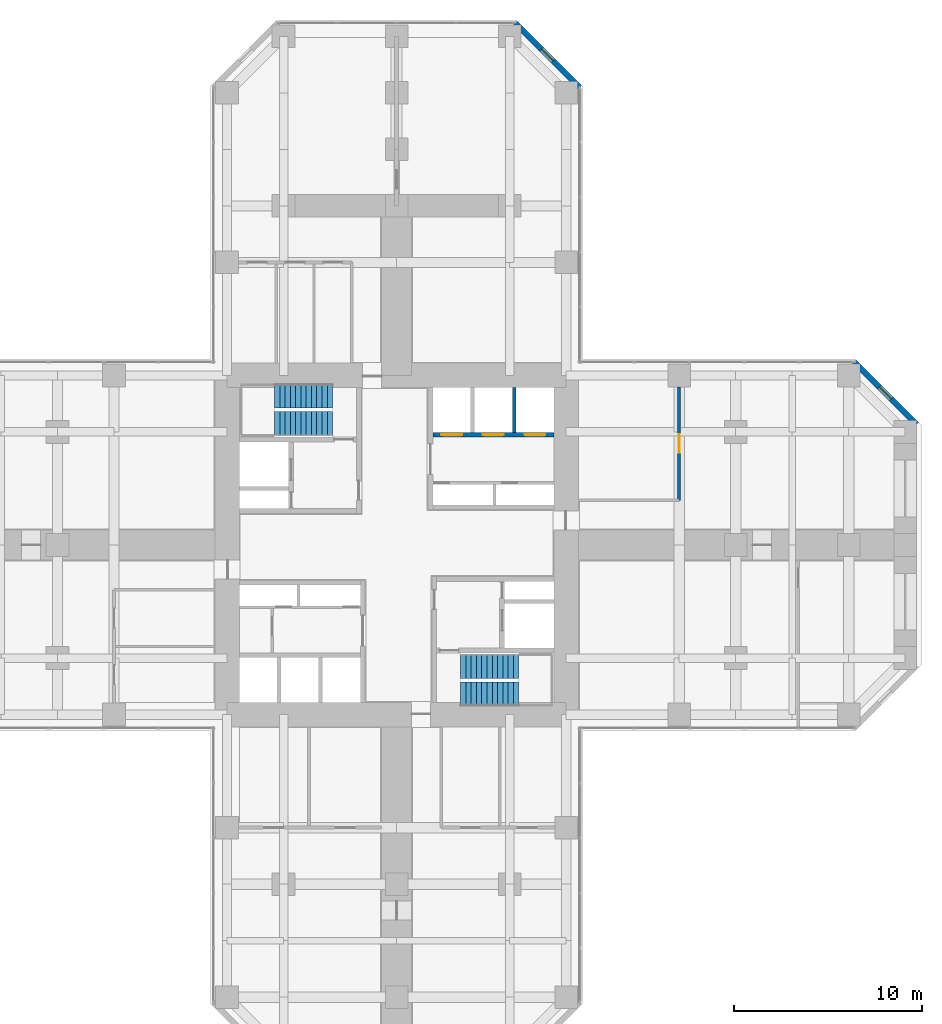
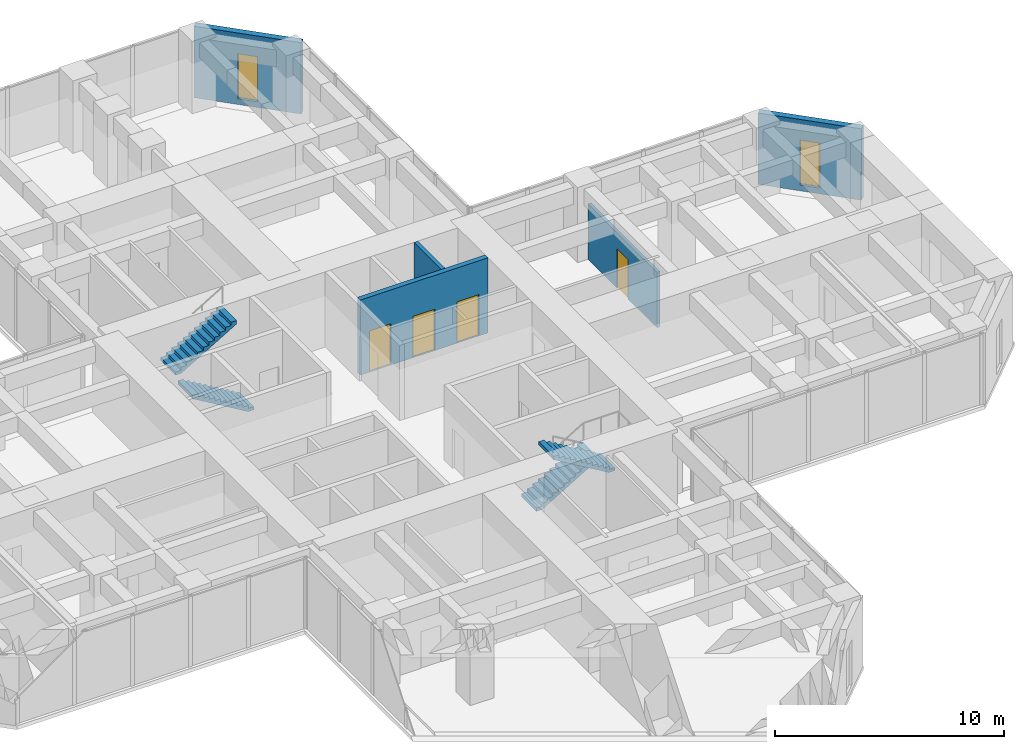
# One storey, part 11 of 12: 5 walls, 4 doors, 4 stair flights, 2 windows, 6 openings, 2 elements without a shape of their own.
"""IFC4 building model written with IfcOpenShell, lengths in metres."""

from ifc_helpers import new_model, si_unit, direction, frame, frame_2d, origin, place, context, subcontext, project, spatial, polyline, rectangle, hollow_rectangle, outline, extrude, material, layer, layer_set, constituent, constituent_set, type_object, element, fill, aggregate, save


model = new_model("IFC4")

# Units and contexts
model_context = context("Model", 3, precision=1e-05, world=origin(), true_north=direction((0.0, 1.0)))
body_context = subcontext(model_context, "Body", "Model", "MODEL_VIEW")
ifc_project = project(units=[si_unit("LENGTHUNIT", "METRE"), si_unit("AREAUNIT", "SQUARE_METRE"), si_unit("VOLUMEUNIT", "CUBIC_METRE"), si_unit("PLANEANGLEUNIT", "RADIAN"), si_unit("MASSUNIT", "GRAM", prefix="KILO")], contexts=[model_context])

# Site, building, storey
site_placement = place(None, origin())
site = spatial("IfcSite", under=ifc_project, at=site_placement, CompositionType="ELEMENT")
building_placement = place(site_placement, origin())
building = spatial("IfcBuilding", under=site, at=building_placement, Name="Torre Cruceta", CompositionType="ELEMENT")
storey_placement = place(building_placement, frame((0.0, 0.0, 35.5)))
storey = spatial("IfcBuildingStorey", under=building, at=storey_placement, Name="L08", CompositionType="ELEMENT", Elevation=35.5)

# Wall, openings, doors
ifc_material_1 = material(Name="Concrete G60 (fck 60 MPa)", Category="concrete")
ifc_layer_1 = layer(ifc_material_1, 0.25)
ifc_layer_set_1 = layer_set([ifc_layer_1], Name="Concrete G60 (fck 60 MPa)")
wall_type_1 = type_object("IfcWallType", Name="CORE INNER WALL 250 G60", PredefinedType="SHEAR", material=ifc_layer_set_1)
wall_1_placement = place(storey_placement, frame((1.925048828125, 5.85009765625, 0.0), z_axis=(0.0, 0.0, 1.0), x_axis=(1.0, 0.0, 0.0)))
wall_1 = element("IfcWall", 1, at=wall_1_placement, inside=storey, type_object=wall_type_1, Name="CW4 L08 NE-LV", PredefinedType="SHEAR", context=body_context, shape_type="SweptSolid", body=[
    extrude(rectangle(XDim=6.425048828125, YDim=0.25, at=frame_2d((3.21240234375, 0.0))), origin(), (0.0, 0.0, 1.0), 4.0),
])
opening_1_placement = place(wall_1_placement, frame((0.4541015625, 0.0, 0.0)))
opening_1 = element("IfcOpeningElement", 2, at=opening_1_placement, cuts=wall_1, Name="Opening LD1", PredefinedType="OPENING", context=body_context, shape_type="SweptSolid", body=[
    extrude(rectangle(XDim=1.10009765625, YDim=2.199951171875, at=frame_2d((0.550048828125, 1.10009765625))), frame((0.0, 0.135009765625, 0.0), z_axis=(0.0, -1.0, 0.0), x_axis=(1.0, 0.0, 0.0)), (0.0, 0.0, 1.0), 0.27001953125),
])
opening_2_placement = place(wall_1_placement, frame((2.66259765625, 0.0, 0.0)))
opening_2 = element("IfcOpeningElement", 3, at=opening_2_placement, cuts=wall_1, Name="Opening LD1", PredefinedType="OPENING", context=body_context, shape_type="SweptSolid", body=[
    extrude(rectangle(XDim=1.10009765625, YDim=2.199951171875, at=frame_2d((0.550048828125, 1.10009765625))), frame((0.0, 0.135009765625, 0.0), z_axis=(0.0, -1.0, 0.0), x_axis=(1.0, 0.0, 0.0)), (0.0, 0.0, 1.0), 0.27001953125),
])
opening_3_placement = place(wall_1_placement, frame((4.870849609375, 0.0, 0.0)))
opening_3 = element("IfcOpeningElement", 4, at=opening_3_placement, cuts=wall_1, Name="Opening LD1", PredefinedType="OPENING", context=body_context, shape_type="SweptSolid", body=[
    extrude(rectangle(XDim=1.10009765625, YDim=2.199951171875, at=frame_2d((0.550048828125, 1.10009765625))), frame((0.0, 0.135009765625, 0.0), z_axis=(0.0, -1.0, 0.0), x_axis=(1.0, 0.0, 0.0)), (0.0, 0.0, 1.0), 0.27001953125),
])
ifc_material_2 = material(Name="Stainless steel 1.4401", Category="steel")
door_type_1 = type_object("IfcDoorType", Name="LIFT LANDING DOOR 1100X2200", OperationType="DOUBLE_DOOR_SLIDING", PredefinedType="DOOR", material=ifc_material_2)
door_1_placement = place(opening_1_placement, origin())
door_1 = element("IfcDoor", 5, at=door_1_placement, inside=storey, type_object=door_type_1, Name="Lift landing door P1", OperationType="DOUBLE_DOOR_SLIDING", OverallHeight=2.199951171875, OverallWidth=1.10009765625, PredefinedType="DOOR", context=body_context, shape_type="SweptSolid", body=[
    extrude(rectangle(XDim=1.10009765625, YDim=2.199951171875, at=frame_2d((0.550048828125, 1.10009765625))), frame((0.0, 0.02490234375, 0.0), z_axis=(0.0, -1.0, 0.0), x_axis=(1.0, 0.0, 0.0)), (0.0, 0.0, 1.0), 0.050048828125),
])
fill(opening_1, door_1)
door_2_placement = place(opening_2_placement, origin())
door_2 = element("IfcDoor", 6, at=door_2_placement, inside=storey, type_object=door_type_1, Name="Lift landing door P2", OperationType="DOUBLE_DOOR_SLIDING", OverallHeight=2.199951171875, OverallWidth=1.10009765625, PredefinedType="DOOR", context=body_context, shape_type="SweptSolid", body=[
    extrude(rectangle(XDim=1.10009765625, YDim=2.199951171875, at=frame_2d((0.550048828125, 1.10009765625))), frame((0.0, 0.02490234375, 0.0), z_axis=(0.0, -1.0, 0.0), x_axis=(1.0, 0.0, 0.0)), (0.0, 0.0, 1.0), 0.050048828125),
])
fill(opening_2, door_2)
door_3_placement = place(opening_3_placement, origin())
door_3 = element("IfcDoor", 7, at=door_3_placement, inside=storey, type_object=door_type_1, Name="Lift landing door P3", OperationType="DOUBLE_DOOR_SLIDING", OverallHeight=2.199951171875, OverallWidth=1.10009765625, PredefinedType="DOOR", context=body_context, shape_type="SweptSolid", body=[
    extrude(rectangle(XDim=1.10009765625, YDim=2.199951171875, at=frame_2d((0.550048828125, 1.10009765625))), frame((0.0, 0.02490234375, 0.0), z_axis=(0.0, -1.0, 0.0), x_axis=(1.0, 0.0, 0.0)), (0.0, 0.0, 1.0), 0.050048828125),
])
fill(opening_3, door_3)

# Wall, opening, window
ifc_material_3 = material(Name="Concrete G30 (fck 30 MPa)", Category="concrete")
ifc_layer_2 = layer(ifc_material_3, 0.300048828125)
ifc_layer_set_2 = layer_set([ifc_layer_2], Name="Concrete G30 (fck 30 MPa)")
wall_type_2 = type_object("IfcWallType", Name="EXPOSED CONCRETE FACADE WALL 300", PredefinedType="SOLIDWALL", material=ifc_layer_set_2)
wall_2_placement = place(storey_placement, frame((27.60009765625, 6.418212890625, 0.0), z_axis=(0.0, 0.0, 1.0), x_axis=(-0.707106781187, 0.707106781187, 0.0)))
wall_2 = element("IfcWall", 8, at=wall_2_placement, inside=storey, type_object=wall_type_2, Name="EW1 facade wall L08 E chamfer 03", PredefinedType="SOLIDWALL", context=body_context, shape_type="SweptSolid", body=[
    extrude(rectangle(XDim=4.66943359375, YDim=0.300048828125, at=frame_2d((2.334716796875, 0.0))), origin(), (0.0, 0.0, 1.0), 3.800048828125),
])
opening_4_placement = place(wall_2_placement, frame((1.884765625, 0.0, 0.300048828125)))
opening_4 = element("IfcOpeningElement", 9, at=opening_4_placement, cuts=wall_2, Name="Opening WN5", PredefinedType="OPENING", context=body_context, shape_type="SweptSolid", body=[
    extrude(rectangle(XDim=0.89990234375, YDim=2.39990234375, at=frame_2d((0.449951171875, 1.199951171875))), frame((0.0, 0.159912109375, 0.0), z_axis=(0.0, -1.0, 0.0), x_axis=(1.0, 0.0, 0.0)), (0.0, 0.0, 1.0), 0.320068359375),
])
ifc_material_4 = material(Name="Aluminium window frame", Category="aluminium")
ifc_constituent_1 = constituent(ifc_material_4, Name="Frame")
ifc_material_5 = material(Name="Laminated insulating glass unit, low-iron clear", Category="glass")
ifc_constituent_2 = constituent(ifc_material_5, Name="Glazing")
ifc_constituent_set_1 = constituent_set(constituents=[ifc_constituent_1, ifc_constituent_2], Name="Aluminium window")
window_type = type_object("IfcWindowType", Name="CHAMFER SLOT WINDOW 900X2400", PartitioningType="SINGLE_PANEL", PredefinedType="WINDOW", material=ifc_constituent_set_1)
window_1_placement = place(opening_4_placement, origin())
window_1 = element("IfcWindow", 10, at=window_1_placement, inside=storey, type_object=window_type, Name="WN5 L08 E 1", OverallHeight=2.39990234375, OverallWidth=0.89990234375, PartitioningType="SINGLE_PANEL", PredefinedType="WINDOW", context=body_context, shape_type="SweptSolid", body=[
    extrude(hollow_rectangle(XDim=0.89990234375, YDim=2.39990234375, WallThickness=0.06005859375, at=frame_2d((0.449951171875, 1.199951171875))), frame((0.0, 0.030029296875, 0.0), z_axis=(0.0, -1.0, 0.0), x_axis=(1.0, 0.0, 0.0)), (0.0, 0.0, 1.0), 0.06005859375),
    extrude(rectangle(XDim=0.77880859375, YDim=2.27880859375, at=frame_2d((0.449951171875, 1.199951171875))), frame((0.0, 0.030029296875, 0.0), z_axis=(0.0, -1.0, 0.0), x_axis=(1.0, 0.0, 0.0)), (0.0, 0.0, 1.0), 0.06005859375),
])
fill(opening_4, window_1)

wall_3_placement = place(storey_placement, frame((9.719970703125, 24.29833984375, 0.0), z_axis=(0.0, 0.0, 1.0), x_axis=(-0.707106781187, 0.707106781187, 0.0)))
wall_3 = element("IfcWall", 11, at=wall_3_placement, inside=storey, type_object=wall_type_2, Name="EW1 facade wall L08 N chamfer 06", PredefinedType="SOLIDWALL", context=body_context, shape_type="SweptSolid", body=[
    extrude(rectangle(XDim=4.8388671875, YDim=0.300048828125, at=frame_2d((2.41943359375, 0.0))), origin(), (0.0, 0.0, 1.0), 3.800048828125),
])
opening_5_placement = place(wall_3_placement, frame((1.969482421875, 0.0, 0.300048828125)))
opening_5 = element("IfcOpeningElement", 12, at=opening_5_placement, cuts=wall_3, Name="Opening WN5", PredefinedType="OPENING", context=body_context, shape_type="SweptSolid", body=[
    extrude(rectangle(XDim=0.89990234375, YDim=2.39990234375, at=frame_2d((0.449951171875, 1.199951171875))), frame((0.0, 0.159912109375, 0.0), z_axis=(0.0, -1.0, 0.0), x_axis=(1.0, 0.0, 0.0)), (0.0, 0.0, 1.0), 0.320068359375),
])
window_2_placement = place(opening_5_placement, origin())
window_2 = element("IfcWindow", 13, at=window_2_placement, inside=storey, type_object=window_type, Name="WN5 L08 N 1", OverallHeight=2.39990234375, OverallWidth=0.89990234375, PartitioningType="SINGLE_PANEL", PredefinedType="WINDOW", context=body_context, shape_type="SweptSolid", body=[
    extrude(hollow_rectangle(XDim=0.89990234375, YDim=2.39990234375, WallThickness=0.06005859375, at=frame_2d((0.449951171875, 1.199951171875))), frame((0.0, 0.030029296875, 0.0), z_axis=(0.0, -1.0, 0.0), x_axis=(1.0, 0.0, 0.0)), (0.0, 0.0, 1.0), 0.06005859375),
    extrude(rectangle(XDim=0.77880859375, YDim=2.27880859375, at=frame_2d((0.449951171875, 1.199951171875))), frame((0.0, 0.030029296875, 0.0), z_axis=(0.0, -1.0, 0.0), x_axis=(1.0, 0.0, 0.0)), (0.0, 0.0, 1.0), 0.06005859375),
])
fill(opening_5, window_2)

# Wall
ifc_material_6 = material(Name="Concrete G35 (fck 35 MPa)", Category="concrete")
ifc_layer_3 = layer(ifc_material_6, 0.199951171875)
ifc_layer_set_3 = layer_set([ifc_layer_3], Name="Concrete G35 (fck 35 MPa)")
wall_type_3 = type_object("IfcWallType", Name="LIFT SHAFT WALL 200", PredefinedType="PARTITIONING", material=ifc_layer_set_3)
wall_4_placement = place(storey_placement, frame((6.24169921875, 5.97509765625, 0.0), z_axis=(0.0, 0.0, 1.0), x_axis=(0.0, 1.0, 0.0)))
element("IfcWall", 14, at=wall_4_placement, inside=storey, type_object=wall_type_3, Name="SW1 L08 NE-LS2", PredefinedType="PARTITIONING", context=body_context, shape_type="SweptSolid", body=[
    extrude(rectangle(XDim=2.375, YDim=0.199951171875, at=frame_2d((1.1875, 0.0))), origin(), (0.0, 0.0, 1.0), 4.0),
])

# Wall, opening, door
ifc_material_7 = material(Name="Plasterboard on steel studs", Category="steel")
ifc_layer_4 = layer(ifc_material_7, 0.14990234375)
ifc_layer_set_4 = layer_set([ifc_layer_4], Name="Plasterboard on steel studs")
wall_type_4 = type_object("IfcWallType", Name="PARTITION 150", PredefinedType="PARTITIONING", material=ifc_layer_set_4)
wall_5_placement = place(storey_placement, frame((15.0, 2.375, 0.0), z_axis=(0.0, 0.0, 1.0), x_axis=(0.0, 1.0, 0.0)))
wall_5 = element("IfcWall", 15, at=wall_5_placement, inside=storey, type_object=wall_type_4, Name="PT1 L08-E-BFL", PredefinedType="PARTITIONING", context=body_context, shape_type="SweptSolid", body=[
    extrude(rectangle(XDim=6.02490234375, YDim=0.14990234375, at=frame_2d((3.012451171875, 0.0))), origin(), (0.0, 0.0, 1.0), 2.949951171875),
])
opening_6_placement = place(wall_5_placement, frame((2.512451171875, 0.0, 0.0)))
opening_6 = element("IfcOpeningElement", 16, at=opening_6_placement, cuts=wall_5, Name="Opening D3", PredefinedType="OPENING", context=body_context, shape_type="SweptSolid", body=[
    extrude(rectangle(XDim=1.0, YDim=2.10009765625, at=frame_2d((0.5, 1.050048828125))), frame((0.0, 0.0849609375, 0.0), z_axis=(0.0, -1.0, 0.0), x_axis=(1.0, 0.0, 0.0)), (0.0, 0.0, 1.0), 0.169921875),
])
ifc_material_8 = material(Name="Steel DX51D", Category="steel")
ifc_constituent_3 = constituent(ifc_material_8, Name="Leaf and frame")
ifc_material_9 = material(Name="Polyester powder coating", Category="paint")
ifc_constituent_4 = constituent(ifc_material_9, Name="Finish")
ifc_constituent_set_2 = constituent_set(constituents=[ifc_constituent_3, ifc_constituent_4], Name="Steel fire door")
door_type_2 = type_object("IfcDoorType", Name="FIRE DOOR 1000X2100", OperationType="SINGLE_SWING_LEFT", PredefinedType="DOOR", material=ifc_constituent_set_2)
door_4_placement = place(opening_6_placement, origin())
door_4 = element("IfcDoor", 17, at=door_4_placement, inside=storey, type_object=door_type_2, Name="D3 L08-E-BFL-D1", OperationType="SINGLE_SWING_LEFT", OverallHeight=2.10009765625, OverallWidth=1.0, PredefinedType="DOOR", context=body_context, shape_type="SweptSolid", body=[
    extrude(rectangle(XDim=1.0, YDim=2.10009765625, at=frame_2d((0.5, 1.050048828125))), frame((0.0, 0.02490234375, 0.0), z_axis=(0.0, -1.0, 0.0), x_axis=(1.0, 0.0, 0.0)), (0.0, 0.0, 1.0), 0.050048828125),
])
fill(opening_6, door_4)

# Stair, stair flights
ifc_material_10 = material(Name="Concrete G30 (fck 30 MPa)", Category="concrete")
stair_type = type_object("IfcStairType", Name="STAIR HALF-TURN 1300", PredefinedType="HALF_TURN_STAIR", material=ifc_material_10)
stair_1_placement = place(storey_placement, origin())
stair_1 = element("IfcStair", 18, at=stair_1_placement, inside=storey, type_object=stair_type, Name="Stair ST1 L08", PredefinedType="HALF_TURN_STAIR")
ifc_material_11 = material(Name="Concrete G30 (fck 30 MPa)", Category="concrete")
stair_flight_type = type_object("IfcStairFlightType", Name="STAIR FLIGHT 1300", PredefinedType="STRAIGHT", material=ifc_material_11)
stair_flight_1_placement = place(storey_placement, frame((-3.39990234375, 6.425048828125, 0.0), z_axis=(0.0, 0.0, 1.0), x_axis=(-1.0, 0.0, 0.0)))
stair_flight_1 = element("IfcStairFlight", 19, at=stair_flight_1_placement, type_object=stair_flight_type, Name="ST1 flight 1", NumberOfRisers=12, NumberOfTreads=11, PredefinedType="STRAIGHT", RiserHeight=0.166666667, TreadLength=0.28, context=body_context, shape_type="SweptSolid", body=[
    extrude(outline(polyline([(0.0, 0.0), (0.0, 0.166748046875), (0.280029296875, 0.166748046875), (0.280029296875, 0.333251953125), (0.56005859375, 0.333251953125), (0.56005859375, 0.5), (0.840087890625, 0.5), (0.840087890625, 0.666748046875), (1.1201171875, 0.666748046875), (1.1201171875, 0.833251953125), (1.39990234375, 0.833251953125), (1.39990234375, 1.0), (1.679931640625, 1.0), (1.679931640625, 1.166748046875), (1.9599609375, 1.166748046875), (1.9599609375, 1.333251953125), (2.239990234375, 1.333251953125), (2.239990234375, 1.5), (2.52001953125, 1.5), (2.52001953125, 1.666748046875), (2.800048828125, 1.666748046875), (2.800048828125, 1.833251953125), (3.080078125, 1.833251953125), (3.080078125, 2.0), (3.080078125, 1.658935546875), (0.29296875, 0.0), (0.0, 0.0)])), frame((0.0, 0.64990234375, 0.0), z_axis=(0.0, -1.0, 0.0), x_axis=(1.0, 0.0, 0.0)), (0.0, 0.0, 1.0), 1.300048828125),
])
stair_flight_2_placement = place(storey_placement, frame((-6.47998046875, 7.925048828125, 2.0), z_axis=(0.0, 0.0, 1.0), x_axis=(1.0, 0.0, 0.0)))
stair_flight_2 = element("IfcStairFlight", 20, at=stair_flight_2_placement, type_object=stair_flight_type, Name="ST1 flight 2", NumberOfRisers=12, NumberOfTreads=11, PredefinedType="STRAIGHT", RiserHeight=0.166666667, TreadLength=0.28, context=body_context, shape_type="SweptSolid", body=[
    extrude(outline(polyline([(0.0, 0.0), (0.0, 0.166748046875), (0.280029296875, 0.166748046875), (0.280029296875, 0.333251953125), (0.56005859375, 0.333251953125), (0.56005859375, 0.5), (0.840087890625, 0.5), (0.840087890625, 0.666748046875), (1.1201171875, 0.666748046875), (1.1201171875, 0.833251953125), (1.39990234375, 0.833251953125), (1.39990234375, 1.0), (1.679931640625, 1.0), (1.679931640625, 1.166748046875), (1.9599609375, 1.166748046875), (1.9599609375, 1.333251953125), (2.239990234375, 1.333251953125), (2.239990234375, 1.5), (2.52001953125, 1.5), (2.52001953125, 1.666748046875), (2.800048828125, 1.666748046875), (2.800048828125, 1.833251953125), (3.080078125, 1.833251953125), (3.080078125, 2.0), (3.080078125, 1.658935546875), (0.29296875, 0.0), (0.0, 0.0)])), frame((0.0, 0.64990234375, 0.0), z_axis=(0.0, -1.0, 0.0), x_axis=(1.0, 0.0, 0.0)), (0.0, 0.0, 1.0), 1.300048828125),
])
aggregate(stair_1, [stair_flight_1, stair_flight_2])

stair_2_placement = place(storey_placement, origin())
stair_2 = element("IfcStair", 21, at=stair_2_placement, inside=storey, type_object=stair_type, Name="Stair ST2 L08", PredefinedType="HALF_TURN_STAIR")
stair_flight_3_placement = place(storey_placement, frame((3.39990234375, -6.425048828125, 0.0), z_axis=(0.0, 0.0, 1.0), x_axis=(1.0, 0.0, 0.0)))
stair_flight_3 = element("IfcStairFlight", 22, at=stair_flight_3_placement, type_object=stair_flight_type, Name="ST2 flight 1", NumberOfRisers=12, NumberOfTreads=11, PredefinedType="STRAIGHT", RiserHeight=0.166666667, TreadLength=0.28, context=body_context, shape_type="SweptSolid", body=[
    extrude(outline(polyline([(0.0, 0.0), (0.0, 0.166748046875), (0.280029296875, 0.166748046875), (0.280029296875, 0.333251953125), (0.56005859375, 0.333251953125), (0.56005859375, 0.5), (0.840087890625, 0.5), (0.840087890625, 0.666748046875), (1.1201171875, 0.666748046875), (1.1201171875, 0.833251953125), (1.39990234375, 0.833251953125), (1.39990234375, 1.0), (1.679931640625, 1.0), (1.679931640625, 1.166748046875), (1.9599609375, 1.166748046875), (1.9599609375, 1.333251953125), (2.239990234375, 1.333251953125), (2.239990234375, 1.5), (2.52001953125, 1.5), (2.52001953125, 1.666748046875), (2.800048828125, 1.666748046875), (2.800048828125, 1.833251953125), (3.080078125, 1.833251953125), (3.080078125, 2.0), (3.080078125, 1.658935546875), (0.29296875, 0.0), (0.0, 0.0)])), frame((0.0, 0.64990234375, 0.0), z_axis=(0.0, -1.0, 0.0), x_axis=(1.0, 0.0, 0.0)), (0.0, 0.0, 1.0), 1.300048828125),
])
stair_flight_4_placement = place(storey_placement, frame((6.47998046875, -7.925048828125, 2.0), z_axis=(0.0, 0.0, 1.0), x_axis=(-1.0, 0.0, 0.0)))
stair_flight_4 = element("IfcStairFlight", 23, at=stair_flight_4_placement, type_object=stair_flight_type, Name="ST2 flight 2", NumberOfRisers=12, NumberOfTreads=11, PredefinedType="STRAIGHT", RiserHeight=0.166666667, TreadLength=0.28, context=body_context, shape_type="SweptSolid", body=[
    extrude(outline(polyline([(0.0, 0.0), (0.0, 0.166748046875), (0.280029296875, 0.166748046875), (0.280029296875, 0.333251953125), (0.56005859375, 0.333251953125), (0.56005859375, 0.5), (0.840087890625, 0.5), (0.840087890625, 0.666748046875), (1.1201171875, 0.666748046875), (1.1201171875, 0.833251953125), (1.39990234375, 0.833251953125), (1.39990234375, 1.0), (1.679931640625, 1.0), (1.679931640625, 1.166748046875), (1.9599609375, 1.166748046875), (1.9599609375, 1.333251953125), (2.239990234375, 1.333251953125), (2.239990234375, 1.5), (2.52001953125, 1.5), (2.52001953125, 1.666748046875), (2.800048828125, 1.666748046875), (2.800048828125, 1.833251953125), (3.080078125, 1.833251953125), (3.080078125, 2.0), (3.080078125, 1.658935546875), (0.29296875, 0.0), (0.0, 0.0)])), frame((0.0, 0.64990234375, 0.0), z_axis=(0.0, -1.0, 0.0), x_axis=(1.0, 0.0, 0.0)), (0.0, 0.0, 1.0), 1.300048828125),
])
aggregate(stair_2, [stair_flight_3, stair_flight_4])

save(model, "model.ifc")
